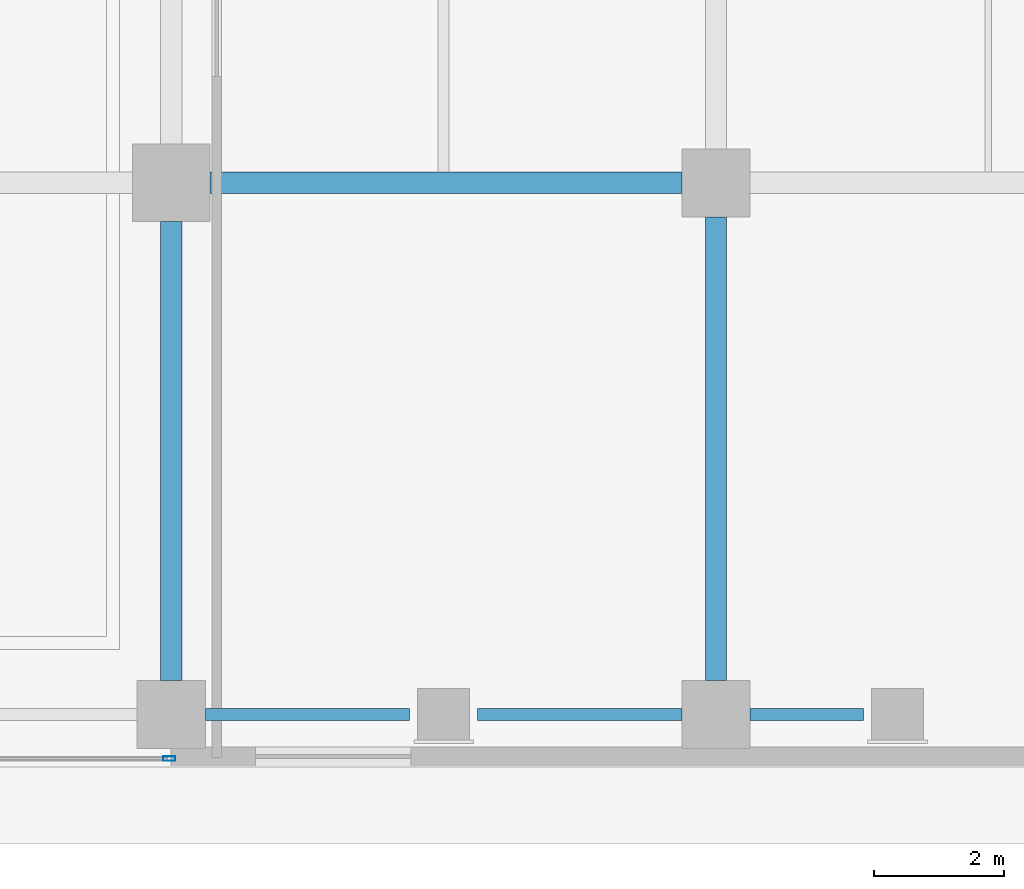
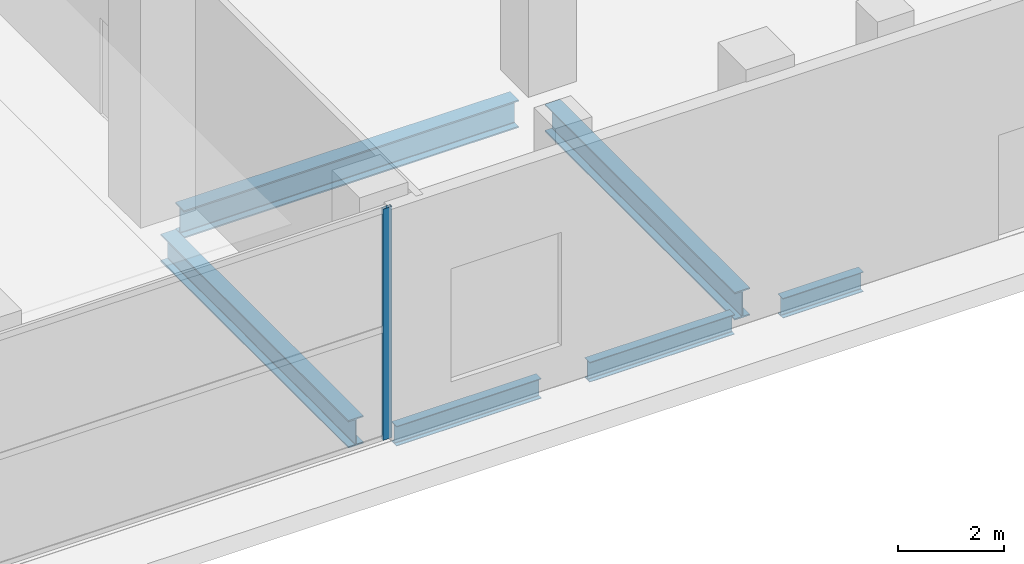
# One storey, part 15 of 35: 6 beams, 1 member, 1 element without a shape of its own.
"""IFC4 building model written with IfcOpenShell, lengths in metres."""

from ifc_helpers import new_model, si_unit, direction, frame, origin, origin_2d, place, context, subcontext, project, spatial, hollow_rectangle, i_section, extrude, material, layer, layer_set, material_profile, profile_set, type_object, element, aggregate, save


model = new_model("IFC4")

# Units and contexts
model_context = context("Model", 3, precision=1e-05, world=origin(), true_north=direction((0.0, 1.0)))
body_context = subcontext(model_context, "Body", "Model", "MODEL_VIEW")
ifc_project = project(units=[si_unit("LENGTHUNIT", "METRE"), si_unit("AREAUNIT", "SQUARE_METRE"), si_unit("VOLUMEUNIT", "CUBIC_METRE"), si_unit("PLANEANGLEUNIT", "RADIAN"), si_unit("MASSUNIT", "GRAM", prefix="KILO")], contexts=[model_context])

# Site, building, storey
site_placement = place(None, origin())
site = spatial("IfcSite", under=ifc_project, at=site_placement, CompositionType="ELEMENT")
building_placement = place(site_placement, origin())
building = spatial("IfcBuilding", under=site, at=building_placement, Name="Maruvema Waterfront Hotel and Observation Tower", CompositionType="ELEMENT")
storey_placement = place(building_placement, origin())
storey = spatial("IfcBuildingStorey", under=building, at=storey_placement, Name="L00", CompositionType="ELEMENT", Elevation=0.0)

# Beams
ifc_material_1 = material(Name="Steel ASTM A572 Grade 50", Category="steel")
ifc_material_profile_1 = material_profile(ifc_material_1, i_section(OverallWidth=0.18994140625, OverallDepth=0.45703125, WebThickness=0.009033203125, FlangeThickness=0.014404296875, FilletRadius=0.014892578125, at=origin_2d()), Name="W460x74.0")
ifc_profile_set_1 = profile_set([ifc_material_profile_1], Name="Steel ASTM A572 Grade 50")
beam_type_1 = type_object("IfcBeamType", Name="Perimeter Spandrel Beam W460x74.0", PredefinedType="SPANDREL", material=ifc_profile_set_1)
for number, where, z_axis, x_axis, name in (
    (1, (50.925048828125, 0.800048828125, -0.508544921875), (1.0, 0.0, 0.0), (0.0, 1.0, 0.0), "L00 Floor Girder EW-07"),
    (2, (55.125, 0.800048828125, -0.508544921875), (1.0, 0.0, 0.0), (0.0, 1.0, 0.0), "L00 Floor Girder EW-08"),
):
    element("IfcBeam", number, at=place(storey_placement, frame(where, z_axis=z_axis, x_axis=x_axis)), inside=storey, type_object=beam_type_1, Name=name, PredefinedType="SPANDREL", context=body_context, shape_type="SweptSolid", body=[
        extrude(i_section(OverallWidth=0.18994140625, OverallDepth=0.45703125, WebThickness=0.009033203125, FlangeThickness=0.014404296875, FilletRadius=0.014892578125, at=origin_2d()), origin(), (0.0, 0.0, 1.0), 3.14990234375),
    ])
beam_1_placement = place(storey_placement, frame((59.324951171875, 0.800048828125, -0.508544921875), z_axis=(1.0, 0.0, 0.0), x_axis=(0.0, 1.0, 0.0)))
element("IfcBeam", 3, at=beam_1_placement, inside=storey, type_object=beam_type_1, Name="L00 Floor Girder EW-09", PredefinedType="SPANDREL", context=body_context, shape_type="SweptSolid", body=[
    extrude(i_section(OverallWidth=0.18994140625, OverallDepth=0.45703125, WebThickness=0.009033203125, FlangeThickness=0.014404296875, FilletRadius=0.014892578125, at=origin_2d()), origin(), (0.0, 0.0, 1.0), 1.75),
])

# Curtain wall, member
ifc_material_2 = material(Name="Anodised bronze aluminium and solar-control low-E IGU", Category="aluminium")
ifc_layer = layer(ifc_material_2, 0.159912109375, Name="Podium Waterfront Storefront Curtain Wall System CW-01")
ifc_layer_set = layer_set([ifc_layer], Name="Anodised bronze aluminium and solar-control low-E IGU")
curtain_wall_type = type_object("IfcCurtainWallType", Name="Podium Waterfront Storefront Curtain Wall System CW-01", PredefinedType="USERDEFINED", material=ifc_layer_set)
curtain_wall_placement = place(storey_placement, origin())
curtain_wall = element("IfcCurtainWall", 4, at=curtain_wall_placement, inside=storey, type_object=curtain_wall_type, Name="L00 Curtain Wall CW-L00-SE", ObjectType="UNITISED CURTAIN WALL", PredefinedType="USERDEFINED")
ifc_material_3 = material(Name="Anodised architectural bronze aluminium", Category="aluminium")
ifc_material_profile_2 = material_profile(ifc_material_3, hollow_rectangle(XDim=0.070068359375, YDim=0.18994140625, WallThickness=0.00390625, at=origin_2d()), Name="ALU-M70x190")
ifc_profile_set_2 = profile_set([ifc_material_profile_2], Name="Anodised architectural bronze aluminium")
member_type = type_object("IfcMemberType", Name="Podium Storefront Heavy Mullion ALU-M70x190", PredefinedType="MULLION", material=ifc_profile_set_2)
member_placement = place(storey_placement, frame((50.3701171875, 0.1201171875, 0.0), z_axis=(0.0, 0.0, 1.0), x_axis=(0.0, 1.0, 0.0)))
member = element("IfcMember", 5, at=member_placement, type_object=member_type, Name="CW-01 mullion 2", PredefinedType="MULLION", context=body_context, shape_type="SweptSolid", body=[
    extrude(hollow_rectangle(XDim=0.070068359375, YDim=0.18994140625, WallThickness=0.00390625, at=origin_2d()), origin(), (0.0, 0.0, 1.0), 5.320068359375),
])
aggregate(curtain_wall, [member])

# Beams
ifc_material_4 = material(Name="Steel ASTM A572 Grade 50", Category="steel")
ifc_material_profile_3 = material_profile(ifc_material_4, i_section(OverallWidth=0.3291015625, OverallDepth=0.635009765625, WebThickness=0.017822265625, FlangeThickness=0.031005859375, FilletRadius=0.01806640625, at=origin_2d()), Name="W610x241.0")
ifc_profile_set_3 = profile_set([ifc_material_profile_3], Name="Steel ASTM A572 Grade 50")
beam_type_2 = type_object("IfcBeamType", Name="Primary Floor Girder W610x241.0", PredefinedType="BEAM", material=ifc_profile_set_3)
beam_2_placement = place(storey_placement, frame((51.0, 9.0, -0.597412109375), z_axis=(1.0, 0.0, 0.0), x_axis=(0.0, 1.0, 0.0)))
element("IfcBeam", 6, at=beam_2_placement, inside=storey, type_object=beam_type_2, Name="L00 Floor Girder EW-15", PredefinedType="BEAM", context=body_context, shape_type="SweptSolid", body=[
    extrude(i_section(OverallWidth=0.3291015625, OverallDepth=0.635009765625, WebThickness=0.017822265625, FlangeThickness=0.031005859375, FilletRadius=0.01806640625, at=origin_2d()), origin(), (0.0, 0.0, 1.0), 7.27490234375),
])
beam_3_placement = place(storey_placement, frame((50.39990234375, 1.324951171875, -0.597412109375), z_axis=(0.0, 1.0, 0.0), x_axis=(-1.0, 0.0, 0.0)))
element("IfcBeam", 7, at=beam_3_placement, inside=storey, type_object=beam_type_2, Name="L00 Floor Girder NS-24", PredefinedType="BEAM", context=body_context, shape_type="SweptSolid", body=[
    extrude(i_section(OverallWidth=0.3291015625, OverallDepth=0.635009765625, WebThickness=0.017822265625, FlangeThickness=0.031005859375, FilletRadius=0.01806640625, at=origin_2d()), origin(), (0.0, 0.0, 1.0), 7.074951171875),
])
beam_4_placement = place(storey_placement, frame((58.800048828125, 1.324951171875, -0.597412109375), z_axis=(0.0, 1.0, 0.0), x_axis=(-1.0, 0.0, 0.0)))
element("IfcBeam", 8, at=beam_4_placement, inside=storey, type_object=beam_type_2, Name="L00 Floor Girder NS-29", PredefinedType="BEAM", context=body_context, shape_type="SweptSolid", body=[
    extrude(i_section(OverallWidth=0.3291015625, OverallDepth=0.635009765625, WebThickness=0.017822265625, FlangeThickness=0.031005859375, FilletRadius=0.01806640625, at=origin_2d()), origin(), (0.0, 0.0, 1.0), 7.150146484375),
])

save(model, "model.ifc")
